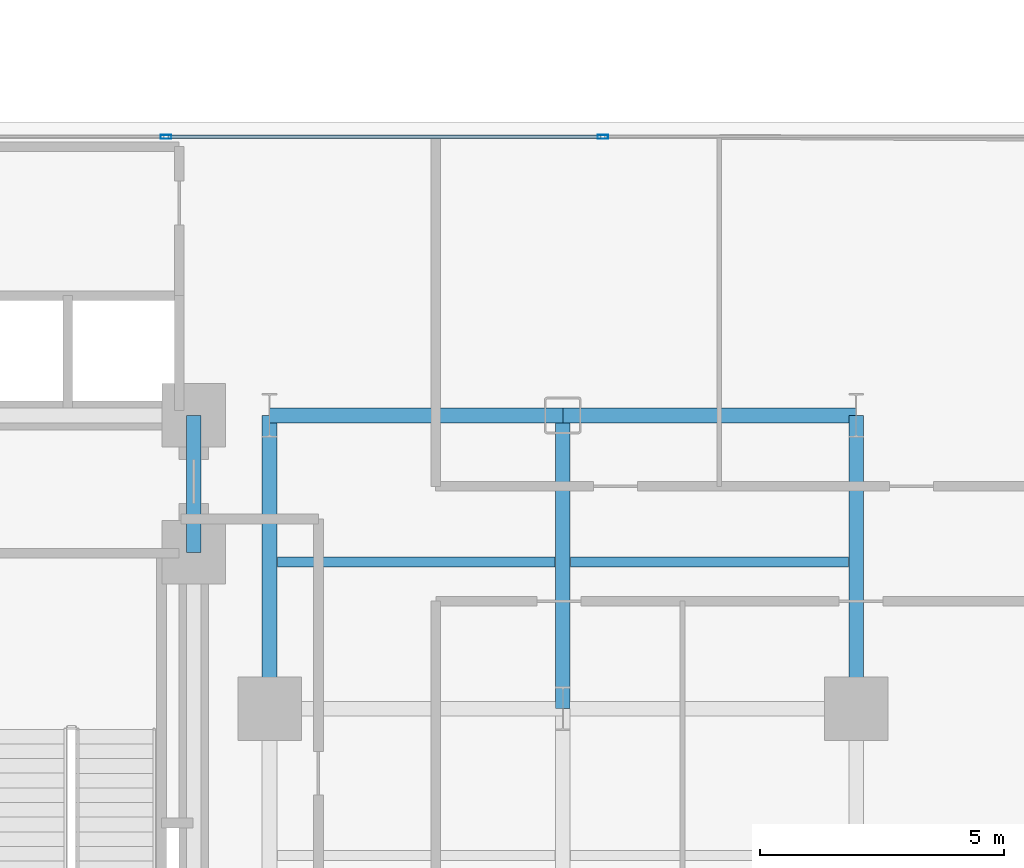
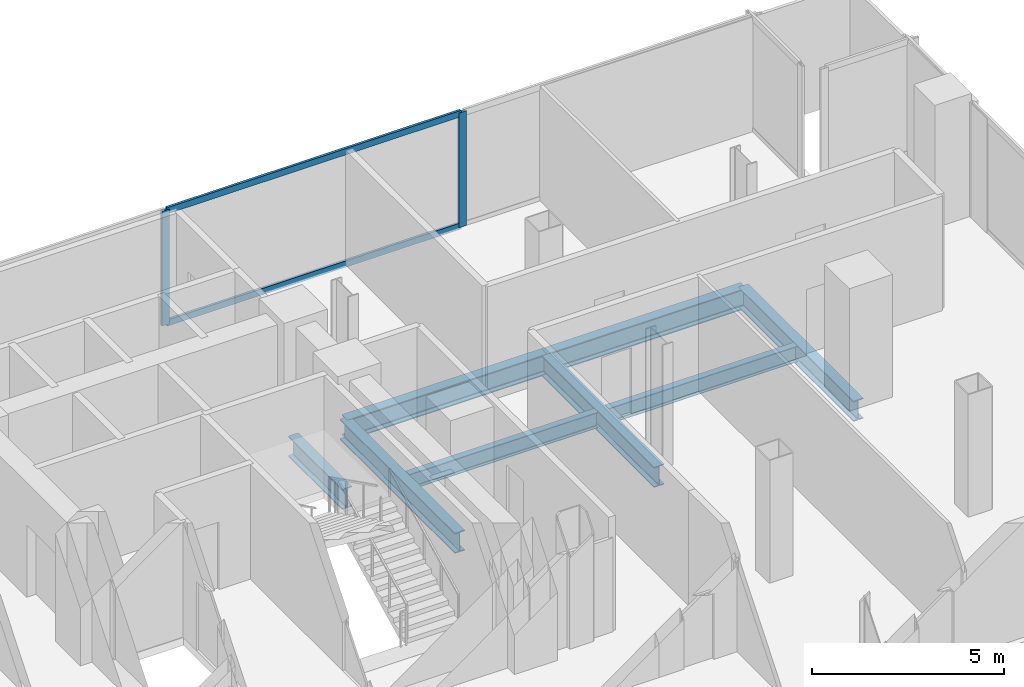
# One storey, part 11 of 27: 8 beams, 4 members, 1 element without a shape of its own.
"""IFC4 building model written with IfcOpenShell, lengths in metres."""

import ifcopenshell
import ifcopenshell.guid

model = None  # the IFC model being written
_history = None  # IfcOwnerHistory: only IFC2X3 demands one
_inside = {}  # id of a spatial element -> (the spatial element, [elements in it])
_under = {}  # id of a project, library or spatial element -> (it, [spatial elements below it])
_declared = {}  # id of a project -> (the project, [libraries it declares])
_typed = {}  # id of a type object -> (the type object, [elements of that type])
_made_of = {}  # id of a material, layer set ... -> (it, [elements and type objects made of it])


def new_model(schema):
    """Start an empty IFC model of exactly this schema.

    Asked for "IFC4X3", IfcOpenShell would pick the latest addendum, in which some entities
    have other attributes; the version numbers below select the first issue.
    IFC2X3 requires an IfcOwnerHistory on every rooted entity: one is made here for all.
    """
    global model, _history
    if schema == "IFC4X3":
        model = ifcopenshell.file(schema_version=(4, 3, 0, 0))
    else:
        model = ifcopenshell.file(schema=schema)
    _inside.clear()
    _under.clear()
    _declared.clear()
    _typed.clear()
    _made_of.clear()
    _history = None
    if model.schema == "IFC2X3":
        org = make("IfcOrganization", Name="unknown")
        user = make(
            "IfcPersonAndOrganization",
            ThePerson=make("IfcPerson", FamilyName="unknown"),
            TheOrganization=org,
        )
        app = make(
            "IfcApplication",
            ApplicationDeveloper=org,
            Version="unknown",
            ApplicationFullName="unknown",
            ApplicationIdentifier="unknown",
        )
        _history = make(
            "IfcOwnerHistory",
            OwningUser=user,
            OwningApplication=app,
            ChangeAction="ADDED",
            CreationDate=0,
        )
    return model


def make(cls, **values):
    """One entity of the class cls with the attributes given. An attribute that is None is left unset."""
    return model.create_entity(
        cls, **{name: value for name, value in values.items() if value is not None}
    )


def rooted(cls, **values):
    """An entity with a GlobalId (a new one), such as an element, a storey or a relation."""
    return make(cls, GlobalId=ifcopenshell.guid.new(), OwnerHistory=_history, **values)


def si_unit(unit_type, name, prefix=None):
    """IfcSIUnit, for example si_unit("LENGTHUNIT", "METRE", prefix="MILLI")."""
    return make("IfcSIUnit", UnitType=unit_type, Prefix=prefix, Name=name)


def assignment(units):
    """IfcUnitAssignment: the units of a project."""
    return None if units is None else make("IfcUnitAssignment", Units=units)


def point(xyz):
    """IfcCartesianPoint."""
    return None if xyz is None else make("IfcCartesianPoint", Coordinates=xyz)


def direction(xyz):
    """IfcDirection."""
    return None if xyz is None else make("IfcDirection", DirectionRatios=xyz)


def frame(location, z_axis=None, x_axis=None):
    """IfcAxis2Placement3D, a coordinate frame: its origin and axes. An axis left out is left unset."""
    return make(
        "IfcAxis2Placement3D",
        Location=point(location),
        Axis=direction(z_axis),
        RefDirection=direction(x_axis),
    )


def frame_2d(location, x_axis=None):
    """IfcAxis2Placement2D, a coordinate frame in the plane: its origin and x axis."""
    return make(
        "IfcAxis2Placement2D", Location=point(location), RefDirection=direction(x_axis)
    )


def origin():
    """The frame at (0, 0, 0) with its axes left unset."""
    return frame((0.0, 0.0, 0.0))


def origin_2d():
    """The frame at (0, 0) in the plane with its x axis left unset."""
    return frame_2d((0.0, 0.0))


def place(relative_to, where):
    """IfcLocalPlacement: puts the frame where relative to a parent placement (None: the world)."""
    return make(
        "IfcLocalPlacement", PlacementRelTo=relative_to, RelativePlacement=where
    )


def context(
    kind, dimensions, precision=None, world=None, true_north=None, identifier=None
):
    """IfcGeometricRepresentationContext, for example the 3D "Model" context."""
    return make(
        "IfcGeometricRepresentationContext",
        ContextIdentifier=identifier,
        ContextType=kind,
        CoordinateSpaceDimension=dimensions,
        Precision=precision,
        WorldCoordinateSystem=world,
        TrueNorth=true_north,
    )


def subcontext(parent, identifier, kind, view, scale=None):
    """IfcGeometricRepresentationSubContext, for example "Body" below "Model"."""
    return make(
        "IfcGeometricRepresentationSubContext",
        ContextIdentifier=identifier,
        ContextType=kind,
        ParentContext=parent,
        TargetScale=scale,
        TargetView=view,
    )


def project(units=None, contexts=None):
    """IfcProject with its units and contexts."""
    return rooted(
        "IfcProject",
        Name="project",
        RepresentationContexts=contexts,
        UnitsInContext=assignment(units),
    )


def spatial(cls, under=None, at=None, **own):
    """A site, building, storey or space (cls), placed at a placement, below another one or the project."""
    s = rooted(cls, ObjectPlacement=at, **own)
    if under is not None:
        _under.setdefault(under.id(), (under, []))[1].append(s)
    return s


def profile(cls, at=None, kind="AREA", **sizes):
    """A parametric profile (cls). Its sizes go by their IFC names, for example OverallWidth=200.0."""
    return make(cls, ProfileType=kind, Position=at, **sizes)


def hollow_rectangle(**sizes):
    """IfcRectangleHollowProfileDef."""
    return profile("IfcRectangleHollowProfileDef", **sizes)


def i_section(**sizes):
    """IfcIShapeProfileDef."""
    return profile("IfcIShapeProfileDef", **sizes)


def extrude(swept, where, along, depth):
    """IfcExtrudedAreaSolid: the profile swept, set in the frame where, extruded along a direction by depth."""
    return make(
        "IfcExtrudedAreaSolid",
        SweptArea=swept,
        Position=where,
        ExtrudedDirection=direction(along),
        Depth=depth,
    )


def shape(context_of_items, identifier, shape_type, items):
    """IfcShapeRepresentation: the items that make up one representation, for example the "Body"."""
    return make(
        "IfcShapeRepresentation",
        ContextOfItems=context_of_items,
        RepresentationIdentifier=identifier,
        RepresentationType=shape_type,
        Items=items,
    )


def material(Name=None, Category=None):
    """IfcMaterial."""
    return make("IfcMaterial", Name=Name, Category=Category)


def layer(
    of_material, thickness, ventilated=None, Name=None, Category=None, Priority=None
):
    """IfcMaterialLayer: one layer of a wall or slab, of a material (None: an air gap)."""
    return make(
        "IfcMaterialLayer",
        Material=of_material,
        LayerThickness=thickness,
        IsVentilated=ventilated,
        Name=Name,
        Category=Category,
        Priority=Priority,
    )


def layer_set(layers, Name=None):
    """IfcMaterialLayerSet."""
    return make("IfcMaterialLayerSet", MaterialLayers=layers, LayerSetName=Name)


def material_profile(
    of_material, cross_section, Name=None, Category=None, Priority=None
):
    """IfcMaterialProfile: a cross section and its material."""
    return make(
        "IfcMaterialProfile",
        Name=Name,
        Material=of_material,
        Profile=cross_section,
        Priority=Priority,
        Category=Category,
    )


def profile_set(profiles, Name=None, composite=None):
    """IfcMaterialProfileSet."""
    return make(
        "IfcMaterialProfileSet",
        Name=Name,
        MaterialProfiles=profiles,
        CompositeProfile=composite,
    )


def made_of(thing, what):
    """Note that an element or type object is made of a material, layer set ...; save() writes the relation."""
    if what is not None:
        _made_of.setdefault(what.id(), (what, []))[1].append(thing)
    return thing


def type_object(cls, material=None, **own):
    """A type object (cls), such as IfcWallType, which elements share."""
    return made_of(rooted(cls, **own), material)


def element(
    cls,
    number,
    at=None,
    inside=None,
    cuts=None,
    type_object=None,
    material=None,
    context=None,
    identifier="Body",
    shape_type=None,
    held_by="IfcProductDefinitionShape",
    body=None,
    shapes=None,
    **own,
):
    """One element of the class cls, such as IfcWall. Its Tag is "e" and its number.

    at: its placement. inside: the storey or other place that contains it. cuts: it is an
    opening in that element (IfcRelVoidsElement). A single representation is given by context,
    identifier, shape_type and body (its items); several are given by shapes. held_by: the class
    of the entity that holds the representations. save() writes the other relations.
    """
    e = rooted(cls, Tag="e%d" % number, ObjectPlacement=at, **own)
    if body is not None:
        shapes = [shape(context, identifier, shape_type, body)]
    if shapes is not None:
        e.Representation = make(held_by, Representations=shapes)
    if inside is not None:
        _inside.setdefault(inside.id(), (inside, []))[1].append(e)
    if cuts is not None:
        rooted(
            "IfcRelVoidsElement", RelatingBuildingElement=cuts, RelatedOpeningElement=e
        )
    if type_object is not None:
        _typed.setdefault(type_object.id(), (type_object, []))[1].append(e)
    return made_of(e, material)


def aggregate(whole, parts):
    """IfcRelAggregates: a whole, such as a stair, and the parts it consists of."""
    return rooted("IfcRelAggregates", RelatingObject=whole, RelatedObjects=parts)


def save(model, path):
    """Write the relations noted so far, then the file.

    IfcRelAggregates (storeys below a building ...), IfcRelContainedInSpatialStructure (elements
    in a storey), IfcRelDefinesByType, IfcRelAssociatesMaterial and IfcRelDeclares: one each for
    every whole, place, type object, material and project.
    """
    for whole, parts in _under.values():
        aggregate(whole, parts)
    for where, things in _inside.values():
        rooted(
            "IfcRelContainedInSpatialStructure",
            RelatedElements=things,
            RelatingStructure=where,
        )
    for kind, things in _typed.values():
        rooted("IfcRelDefinesByType", RelatedObjects=things, RelatingType=kind)
    for what, things in _made_of.values():
        rooted("IfcRelAssociatesMaterial", RelatedObjects=things, RelatingMaterial=what)
    for by, libraries in _declared.values():
        rooted("IfcRelDeclares", RelatingContext=by, RelatedDefinitions=libraries)
    model.write(path)


model = new_model("IFC4")

# Units and contexts
model_context = context("Model", 3, precision=1e-05, world=origin(), true_north=direction((0.0, 1.0)))
body_context = subcontext(model_context, "Body", "Model", "MODEL_VIEW")
ifc_project = project(units=[si_unit("LENGTHUNIT", "METRE"), si_unit("AREAUNIT", "SQUARE_METRE"), si_unit("VOLUMEUNIT", "CUBIC_METRE"), si_unit("PLANEANGLEUNIT", "RADIAN"), si_unit("MASSUNIT", "GRAM", prefix="KILO"), si_unit("THERMODYNAMICTEMPERATUREUNIT", "KELVIN"), si_unit("POWERUNIT", "WATT")], contexts=[model_context])

# Site, building, storey
site_placement = place(None, origin())
site = spatial("IfcSite", under=ifc_project, at=site_placement, CompositionType="ELEMENT")
building_placement = place(site_placement, origin())
building = spatial("IfcBuilding", under=site, at=building_placement, Name="Svarakhadi Broadcast Tower", CompositionType="ELEMENT")
storey_placement = place(building_placement, frame((0.0, 0.0, 87.0)))
storey = spatial("IfcBuildingStorey", under=building, at=storey_placement, Name="L20", CompositionType="ELEMENT", Elevation=87.0)

# Beams
ifc_material_1 = material(Name="Steel S355J2 (IS 2062 E350C)", Category="steel")
ifc_material_profile_1 = material_profile(ifc_material_1, i_section(OverallWidth=0.199951171875, OverallDepth=0.5, WebThickness=0.01025390625, FlangeThickness=0.01611328125, FilletRadius=0.02099609375, at=origin_2d()), Name="NPB 500x200x91")
ifc_profile_set_1 = profile_set([ifc_material_profile_1], Name="Steel S355J2 (IS 2062 E350C)")
beam_type_1 = type_object("IfcBeamType", Name="Beam_NPB500", PredefinedType="BEAM", material=ifc_profile_set_1)
for number, where, z_axis, x_axis, name in (
    (1, (35.31005859375, 15.0, -0.5), (1.0, 0.0, 0.0), (0.0, 1.0, 0.0), "L20 Secondary Composite Beam SB024"),
    (2, (41.31005859375, 15.0, -0.5), (1.0, 0.0, 0.0), (0.0, 1.0, 0.0), "L20 Secondary Composite Beam SB027"),
):
    element("IfcBeam", number, at=place(storey_placement, frame(where, z_axis=z_axis, x_axis=x_axis)), inside=storey, type_object=beam_type_1, Name=name, PredefinedType="BEAM", context=body_context, shape_type="SweptSolid", body=[
        extrude(i_section(OverallWidth=0.199951171875, OverallDepth=0.5, WebThickness=0.01025390625, FlangeThickness=0.01611328125, FilletRadius=0.02099609375, at=origin_2d()), origin(), (0.0, 0.0, 1.0), 5.679931640625),
    ])

# Curtain wall, members
ifc_material_2 = material(Name="Anodised Bronze Aluminium AA 6063-T6", Category="aluminium")
ifc_layer = layer(ifc_material_2, 0.219970703125)
ifc_layer_set = layer_set([ifc_layer], Name="Anodised Bronze Aluminium AA 6063-T6")
curtain_wall_type = type_object("IfcCurtainWallType", Name="CW_Sys_02", PredefinedType="NOTDEFINED", material=ifc_layer_set)
curtain_wall_placement = place(storey_placement, origin())
curtain_wall = element("IfcCurtainWall", 3, at=curtain_wall_placement, inside=storey, type_object=curtain_wall_type, Name="L20 Unitised Facade Curtain Wall 10", PredefinedType="NOTDEFINED")
ifc_material_profile_2 = material_profile(ifc_material_2, hollow_rectangle(XDim=0.0849609375, YDim=0.219970703125, WallThickness=0.006103515625, at=origin_2d()), Name="ALU MULLION 220x85x6")
ifc_profile_set_2 = profile_set([ifc_material_profile_2], Name="Anodised Bronze Aluminium AA 6063-T6")
member_type_1 = type_object("IfcMemberType", Name="CW_Sys_02_Mul", PredefinedType="MULLION", material=ifc_profile_set_2)
member_1_placement = place(storey_placement, frame((33.030029296875, 23.699951171875, 0.0), z_axis=(0.0, 0.0, 1.0), x_axis=(0.0, 1.0, 0.0)))
member_1 = element("IfcMember", 4, at=member_1_placement, type_object=member_type_1, Name="CW-02 mullion 2", PredefinedType="MULLION", context=body_context, shape_type="SweptSolid", body=[
    extrude(hollow_rectangle(XDim=0.0849609375, YDim=0.219970703125, WallThickness=0.006103515625, at=origin_2d()), origin(), (0.0, 0.0, 1.0), 3.64990234375),
])
member_2_placement = place(storey_placement, frame((41.969970703125, 23.699951171875, 0.0), z_axis=(0.0, 0.0, 1.0), x_axis=(0.0, 1.0, 0.0)))
member_2 = element("IfcMember", 5, at=member_2_placement, type_object=member_type_1, Name="CW-02 mullion 3", PredefinedType="MULLION", context=body_context, shape_type="SweptSolid", body=[
    extrude(hollow_rectangle(XDim=0.0849609375, YDim=0.219970703125, WallThickness=0.006103515625, at=origin_2d()), origin(), (0.0, 0.0, 1.0), 3.64990234375),
])
ifc_material_profile_3 = material_profile(ifc_material_2, hollow_rectangle(XDim=0.074951171875, YDim=0.199951171875, WallThickness=0.0048828125, at=origin_2d()), Name="ALU TRANSOM 200x75x5")
ifc_profile_set_3 = profile_set([ifc_material_profile_3], Name="Anodised Bronze Aluminium AA 6063-T6")
member_type_2 = type_object("IfcMemberType", Name="CW_Sys_02_Trn", PredefinedType="USERDEFINED", material=ifc_profile_set_3)
member_3_placement = place(storey_placement, frame((33.072509765625, 23.699951171875, 0.03759765625), z_axis=(1.0, 0.0, 0.0), x_axis=(0.0, 1.0, 0.0)))
member_3 = element("IfcMember", 6, at=member_3_placement, type_object=member_type_2, Name="CW-02 transom 2.1", ObjectType="TRANSOM", PredefinedType="USERDEFINED", context=body_context, shape_type="SweptSolid", body=[
    extrude(hollow_rectangle(XDim=0.074951171875, YDim=0.199951171875, WallThickness=0.0048828125, at=origin_2d()), origin(), (0.0, 0.0, 1.0), 8.85498046875),
])
member_4_placement = place(storey_placement, frame((33.072509765625, 23.699951171875, 3.612548828125), z_axis=(1.0, 0.0, 0.0), x_axis=(0.0, 1.0, 0.0)))
member_4 = element("IfcMember", 7, at=member_4_placement, type_object=member_type_2, Name="CW-02 transom 2.2", ObjectType="TRANSOM", PredefinedType="USERDEFINED", context=body_context, shape_type="SweptSolid", body=[
    extrude(hollow_rectangle(XDim=0.074951171875, YDim=0.199951171875, WallThickness=0.0048828125, at=origin_2d()), origin(), (0.0, 0.0, 1.0), 8.85498046875),
])
aggregate(curtain_wall, [member_1, member_2, member_3, member_4])

# Beams
ifc_material_profile_4 = material_profile(ifc_material_1, i_section(OverallWidth=0.300048828125, OverallDepth=0.64990234375, WebThickness=0.01611328125, FlangeThickness=0.031005859375, FilletRadius=0.027099609375, at=origin_2d()), Name="WPB 650x300x225")
ifc_profile_set_4 = profile_set([ifc_material_profile_4], Name="Steel S355J2 (IS 2062 E350C)")
beam_type_2 = type_object("IfcBeamType", Name="Girder_WPB650", PredefinedType="USERDEFINED", material=ifc_profile_set_4)
for number, where, z_axis, x_axis, name in (
    (8, (35.14990234375, 18.0, -0.574951171875), (1.0, 0.0, 0.0), (0.0, 1.0, 0.0), "L20 Primary E-W Girder G030"),
    (9, (41.14990234375, 18.0, -0.574951171875), (1.0, 0.0, 0.0), (0.0, 1.0, 0.0), "L20 Primary E-W Girder G031"),
):
    element("IfcBeam", number, at=place(storey_placement, frame(where, z_axis=z_axis, x_axis=x_axis)), inside=storey, type_object=beam_type_2, Name=name, ObjectType="GIRDER", PredefinedType="USERDEFINED", context=body_context, shape_type="SweptSolid", body=[
        extrude(i_section(OverallWidth=0.300048828125, OverallDepth=0.64990234375, WebThickness=0.01611328125, FlangeThickness=0.031005859375, FilletRadius=0.027099609375, at=origin_2d()), origin(), (0.0, 0.0, 1.0), 6.0),
    ])
beam_placement = place(storey_placement, frame((33.60009765625, 15.199951171875, -0.574951171875), z_axis=(0.0, 1.0, 0.0), x_axis=(-1.0, 0.0, 0.0)))
element("IfcBeam", 10, at=beam_placement, inside=storey, type_object=beam_type_2, Name="L20 Primary N-S Girder G075", ObjectType="GIRDER", PredefinedType="USERDEFINED", context=body_context, shape_type="SweptSolid", body=[
    extrude(i_section(OverallWidth=0.300048828125, OverallDepth=0.64990234375, WebThickness=0.01611328125, FlangeThickness=0.031005859375, FilletRadius=0.027099609375, at=origin_2d()), origin(), (0.0, 0.0, 1.0), 2.800048828125),
])
for number, where, z_axis, x_axis, name in (
    (11, (35.14990234375, 12.0, -0.574951171875), (0.0, 1.0, 0.0), (-1.0, 0.0, 0.0), "L20 Primary N-S Girder G078"),
    (12, (41.14990234375, 12.0, -0.574951171875), (0.0, 1.0, 0.0), (-1.0, 0.0, 0.0), "L20 Primary N-S Girder G081"),
    (13, (47.14990234375, 12.0, -0.574951171875), (0.0, 1.0, 0.0), (-1.0, 0.0, 0.0), "L20 Primary N-S Girder G084"),
):
    element("IfcBeam", number, at=place(storey_placement, frame(where, z_axis=z_axis, x_axis=x_axis)), inside=storey, type_object=beam_type_2, Name=name, ObjectType="GIRDER", PredefinedType="USERDEFINED", context=body_context, shape_type="SweptSolid", body=[
        extrude(i_section(OverallWidth=0.300048828125, OverallDepth=0.64990234375, WebThickness=0.01611328125, FlangeThickness=0.031005859375, FilletRadius=0.027099609375, at=origin_2d()), origin(), (0.0, 0.0, 1.0), 6.0),
    ])

save(model, "model.ifc")
